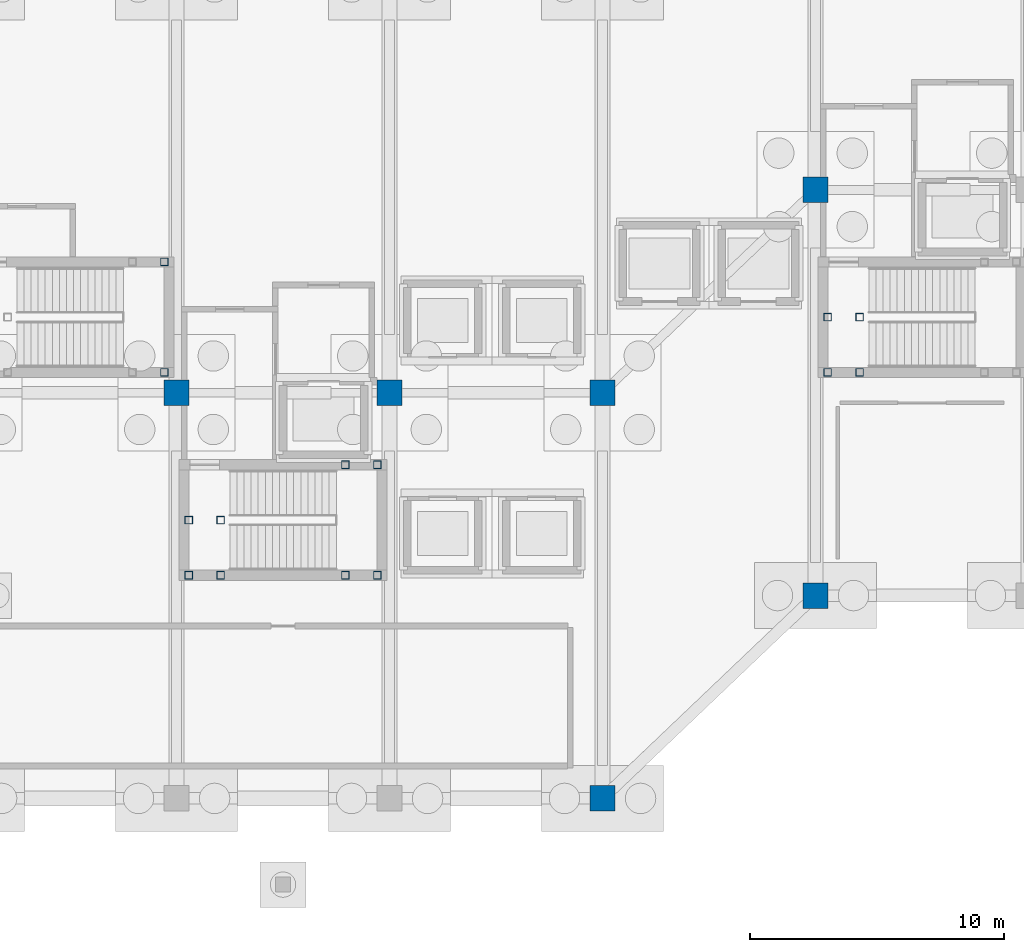
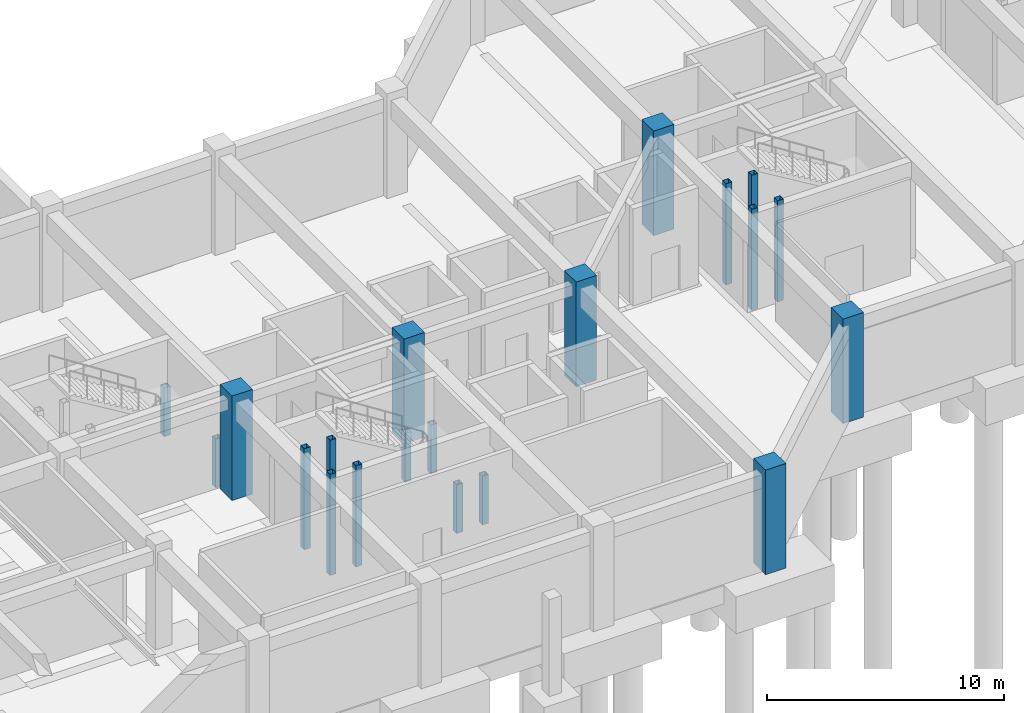
# One storey, part 25 of 56: 20 columns.
"""IFC4 building model written with IfcOpenShell, lengths in metres."""

import ifcopenshell
import ifcopenshell.guid

model = None  # the IFC model being written
_history = None  # IfcOwnerHistory: only IFC2X3 demands one
_inside = {}  # id of a spatial element -> (the spatial element, [elements in it])
_under = {}  # id of a project, library or spatial element -> (it, [spatial elements below it])
_declared = {}  # id of a project -> (the project, [libraries it declares])
_typed = {}  # id of a type object -> (the type object, [elements of that type])
_made_of = {}  # id of a material, layer set ... -> (it, [elements and type objects made of it])


def new_model(schema):
    """Start an empty IFC model of exactly this schema.

    Asked for "IFC4X3", IfcOpenShell would pick the latest addendum, in which some entities
    have other attributes; the version numbers below select the first issue.
    IFC2X3 requires an IfcOwnerHistory on every rooted entity: one is made here for all.
    """
    global model, _history
    if schema == "IFC4X3":
        model = ifcopenshell.file(schema_version=(4, 3, 0, 0))
    else:
        model = ifcopenshell.file(schema=schema)
    _inside.clear()
    _under.clear()
    _declared.clear()
    _typed.clear()
    _made_of.clear()
    _history = None
    if model.schema == "IFC2X3":
        org = make("IfcOrganization", Name="unknown")
        user = make(
            "IfcPersonAndOrganization",
            ThePerson=make("IfcPerson", FamilyName="unknown"),
            TheOrganization=org,
        )
        app = make(
            "IfcApplication",
            ApplicationDeveloper=org,
            Version="unknown",
            ApplicationFullName="unknown",
            ApplicationIdentifier="unknown",
        )
        _history = make(
            "IfcOwnerHistory",
            OwningUser=user,
            OwningApplication=app,
            ChangeAction="ADDED",
            CreationDate=0,
        )
    return model


def make(cls, **values):
    """One entity of the class cls with the attributes given. An attribute that is None is left unset."""
    return model.create_entity(
        cls, **{name: value for name, value in values.items() if value is not None}
    )


def rooted(cls, **values):
    """An entity with a GlobalId (a new one), such as an element, a storey or a relation."""
    return make(cls, GlobalId=ifcopenshell.guid.new(), OwnerHistory=_history, **values)


def si_unit(unit_type, name, prefix=None):
    """IfcSIUnit, for example si_unit("LENGTHUNIT", "METRE", prefix="MILLI")."""
    return make("IfcSIUnit", UnitType=unit_type, Prefix=prefix, Name=name)


def assignment(units):
    """IfcUnitAssignment: the units of a project."""
    return None if units is None else make("IfcUnitAssignment", Units=units)


def point(xyz):
    """IfcCartesianPoint."""
    return None if xyz is None else make("IfcCartesianPoint", Coordinates=xyz)


def direction(xyz):
    """IfcDirection."""
    return None if xyz is None else make("IfcDirection", DirectionRatios=xyz)


def frame(location, z_axis=None, x_axis=None):
    """IfcAxis2Placement3D, a coordinate frame: its origin and axes. An axis left out is left unset."""
    return make(
        "IfcAxis2Placement3D",
        Location=point(location),
        Axis=direction(z_axis),
        RefDirection=direction(x_axis),
    )


def frame_2d(location, x_axis=None):
    """IfcAxis2Placement2D, a coordinate frame in the plane: its origin and x axis."""
    return make(
        "IfcAxis2Placement2D", Location=point(location), RefDirection=direction(x_axis)
    )


def origin():
    """The frame at (0, 0, 0) with its axes left unset."""
    return frame((0.0, 0.0, 0.0))


def origin_2d():
    """The frame at (0, 0) in the plane with its x axis left unset."""
    return frame_2d((0.0, 0.0))


def place(relative_to, where):
    """IfcLocalPlacement: puts the frame where relative to a parent placement (None: the world)."""
    return make(
        "IfcLocalPlacement", PlacementRelTo=relative_to, RelativePlacement=where
    )


def context(
    kind, dimensions, precision=None, world=None, true_north=None, identifier=None
):
    """IfcGeometricRepresentationContext, for example the 3D "Model" context."""
    return make(
        "IfcGeometricRepresentationContext",
        ContextIdentifier=identifier,
        ContextType=kind,
        CoordinateSpaceDimension=dimensions,
        Precision=precision,
        WorldCoordinateSystem=world,
        TrueNorth=true_north,
    )


def subcontext(parent, identifier, kind, view, scale=None):
    """IfcGeometricRepresentationSubContext, for example "Body" below "Model"."""
    return make(
        "IfcGeometricRepresentationSubContext",
        ContextIdentifier=identifier,
        ContextType=kind,
        ParentContext=parent,
        TargetScale=scale,
        TargetView=view,
    )


def project(units=None, contexts=None):
    """IfcProject with its units and contexts."""
    return rooted(
        "IfcProject",
        Name="project",
        RepresentationContexts=contexts,
        UnitsInContext=assignment(units),
    )


def spatial(cls, under=None, at=None, **own):
    """A site, building, storey or space (cls), placed at a placement, below another one or the project."""
    s = rooted(cls, ObjectPlacement=at, **own)
    if under is not None:
        _under.setdefault(under.id(), (under, []))[1].append(s)
    return s


def profile(cls, at=None, kind="AREA", **sizes):
    """A parametric profile (cls). Its sizes go by their IFC names, for example OverallWidth=200.0."""
    return make(cls, ProfileType=kind, Position=at, **sizes)


def rectangle(**sizes):
    """IfcRectangleProfileDef."""
    return profile("IfcRectangleProfileDef", **sizes)


def hollow_rectangle(**sizes):
    """IfcRectangleHollowProfileDef."""
    return profile("IfcRectangleHollowProfileDef", **sizes)


def extrude(swept, where, along, depth):
    """IfcExtrudedAreaSolid: the profile swept, set in the frame where, extruded along a direction by depth."""
    return make(
        "IfcExtrudedAreaSolid",
        SweptArea=swept,
        Position=where,
        ExtrudedDirection=direction(along),
        Depth=depth,
    )


def shape(context_of_items, identifier, shape_type, items):
    """IfcShapeRepresentation: the items that make up one representation, for example the "Body"."""
    return make(
        "IfcShapeRepresentation",
        ContextOfItems=context_of_items,
        RepresentationIdentifier=identifier,
        RepresentationType=shape_type,
        Items=items,
    )


def material(Name=None, Category=None):
    """IfcMaterial."""
    return make("IfcMaterial", Name=Name, Category=Category)


def material_profile(
    of_material, cross_section, Name=None, Category=None, Priority=None
):
    """IfcMaterialProfile: a cross section and its material."""
    return make(
        "IfcMaterialProfile",
        Name=Name,
        Material=of_material,
        Profile=cross_section,
        Priority=Priority,
        Category=Category,
    )


def profile_set(profiles, Name=None, composite=None):
    """IfcMaterialProfileSet."""
    return make(
        "IfcMaterialProfileSet",
        Name=Name,
        MaterialProfiles=profiles,
        CompositeProfile=composite,
    )


def made_of(thing, what):
    """Note that an element or type object is made of a material, layer set ...; save() writes the relation."""
    if what is not None:
        _made_of.setdefault(what.id(), (what, []))[1].append(thing)
    return thing


def type_object(cls, material=None, **own):
    """A type object (cls), such as IfcWallType, which elements share."""
    return made_of(rooted(cls, **own), material)


def element(
    cls,
    number,
    at=None,
    inside=None,
    cuts=None,
    type_object=None,
    material=None,
    context=None,
    identifier="Body",
    shape_type=None,
    held_by="IfcProductDefinitionShape",
    body=None,
    shapes=None,
    **own,
):
    """One element of the class cls, such as IfcWall. Its Tag is "e" and its number.

    at: its placement. inside: the storey or other place that contains it. cuts: it is an
    opening in that element (IfcRelVoidsElement). A single representation is given by context,
    identifier, shape_type and body (its items); several are given by shapes. held_by: the class
    of the entity that holds the representations. save() writes the other relations.
    """
    e = rooted(cls, Tag="e%d" % number, ObjectPlacement=at, **own)
    if body is not None:
        shapes = [shape(context, identifier, shape_type, body)]
    if shapes is not None:
        e.Representation = make(held_by, Representations=shapes)
    if inside is not None:
        _inside.setdefault(inside.id(), (inside, []))[1].append(e)
    if cuts is not None:
        rooted(
            "IfcRelVoidsElement", RelatingBuildingElement=cuts, RelatedOpeningElement=e
        )
    if type_object is not None:
        _typed.setdefault(type_object.id(), (type_object, []))[1].append(e)
    return made_of(e, material)


def aggregate(whole, parts):
    """IfcRelAggregates: a whole, such as a stair, and the parts it consists of."""
    return rooted("IfcRelAggregates", RelatingObject=whole, RelatedObjects=parts)


def save(model, path):
    """Write the relations noted so far, then the file.

    IfcRelAggregates (storeys below a building ...), IfcRelContainedInSpatialStructure (elements
    in a storey), IfcRelDefinesByType, IfcRelAssociatesMaterial and IfcRelDeclares: one each for
    every whole, place, type object, material and project.
    """
    for whole, parts in _under.values():
        aggregate(whole, parts)
    for where, things in _inside.values():
        rooted(
            "IfcRelContainedInSpatialStructure",
            RelatedElements=things,
            RelatingStructure=where,
        )
    for kind, things in _typed.values():
        rooted("IfcRelDefinesByType", RelatedObjects=things, RelatingType=kind)
    for what, things in _made_of.values():
        rooted("IfcRelAssociatesMaterial", RelatedObjects=things, RelatingMaterial=what)
    for by, libraries in _declared.values():
        rooted("IfcRelDeclares", RelatingContext=by, RelatedDefinitions=libraries)
    model.write(path)


model = new_model("IFC4")

# Units and contexts
model_context = context("Model", 3, precision=1e-05, world=origin(), true_north=direction((0.0, 1.0)))
body_context = subcontext(model_context, "Body", "Model", "MODEL_VIEW")
ifc_project = project(units=[si_unit("LENGTHUNIT", "METRE"), si_unit("AREAUNIT", "SQUARE_METRE"), si_unit("VOLUMEUNIT", "CUBIC_METRE"), si_unit("PLANEANGLEUNIT", "RADIAN"), si_unit("MASSUNIT", "GRAM", prefix="KILO")], contexts=[model_context])

# Site, building, storey
site_placement = place(None, origin())
site = spatial("IfcSite", under=ifc_project, at=site_placement, CompositionType="ELEMENT")
building_placement = place(site_placement, origin())
building = spatial("IfcBuilding", under=site, at=building_placement, Name="Naruveol Harbour Congress Hotel", CompositionType="ELEMENT")
storey_placement = place(building_placement, frame((0.0, 0.0, -5.39990234375)))
storey = spatial("IfcBuildingStorey", under=building, at=storey_placement, Name="B01", CompositionType="ELEMENT", Elevation=-5.39990234375)

# Columns
ifc_material_1 = material(Name="Concrete C50/60", Category="concrete")
ifc_material_profile_1 = material_profile(ifc_material_1, rectangle(XDim=1.0, YDim=1.0, at=origin_2d()), Name="RC-1000x1000")
ifc_profile_set_1 = profile_set([ifc_material_profile_1], Name="Concrete C50/60")
column_type_1 = type_object("IfcColumnType", Name="RC PRIMARY COLUMN 1000X1000", PredefinedType="COLUMN", material=ifc_profile_set_1)
for number, where, z_axis, x_axis, name in (
    (1, (126.0, 16.0, 0.0), (0.0, 0.0, 1.0), (1.0, 0.0, 0.0), "Column C-1000 B01 (126.0,16.0)"),
    (2, (134.39990234375, 16.0, 0.0), (0.0, 0.0, 1.0), (1.0, 0.0, 0.0), "Column C-1000 B01 (134.4,16.0)"),
    (3, (142.800048828125, 0.0, 0.0), (0.0, 0.0, 1.0), (1.0, 0.0, 0.0), "Column C-1000 B01 (142.8,0.0)"),
    (4, (142.800048828125, 16.0, 0.0), (0.0, 0.0, 1.0), (1.0, 0.0, 0.0), "Column C-1000 B01 (142.8,16.0)"),
    (5, (151.199951171875, 8.0, 0.0), (0.0, 0.0, 1.0), (1.0, 0.0, 0.0), "Column C-1000 B01 (151.2,8.0)"),
    (6, (151.199951171875, 24.0, 0.0), (0.0, 0.0, 1.0), (1.0, 0.0, 0.0), "Column C-1000 B01 (151.2,24.0)"),
):
    element("IfcColumn", number, at=place(storey_placement, frame(where, z_axis=z_axis, x_axis=x_axis)), inside=storey, type_object=column_type_1, Name=name, PredefinedType="COLUMN", context=body_context, shape_type="SweptSolid", body=[
        extrude(rectangle(XDim=1.0, YDim=1.0, at=origin_2d()), origin(), (0.0, 0.0, 1.0), 5.39990234375),
    ])
ifc_material_2 = material(Name="Steel SN490", Category="steel")
ifc_material_profile_2 = material_profile(ifc_material_2, hollow_rectangle(XDim=0.300048828125, YDim=0.300048828125, WallThickness=0.011962890625, at=origin_2d()), Name="SHS-300x300x12")
ifc_profile_set_2 = profile_set([ifc_material_profile_2], Name="Steel SN490")
column_type_2 = type_object("IfcColumnType", Name="STEEL COLONNADE POST SHS300", PredefinedType="COLUMN", material=ifc_profile_set_2)
for number, where, z_axis, x_axis, name in (
    (7, (126.47998046875, 8.800048828125, 0.0), (0.0, 0.0, 1.0), (1.0, 0.0, 0.0), "Stair landing support post ST1W #1"),
    (8, (126.47998046875, 10.97998046875, 0.0), (0.0, 0.0, 1.0), (1.0, 0.0, 0.0), "Stair landing support post ST1W #13"),
    (9, (127.739990234375, 8.800048828125, 0.0), (0.0, 0.0, 1.0), (1.0, 0.0, 0.0), "Stair landing support post ST1W #25"),
    (10, (127.739990234375, 10.97998046875, 0.0), (0.0, 0.0, 1.0), (1.0, 0.0, 0.0), "Stair landing support post ST1W #37"),
):
    element("IfcColumn", number, at=place(storey_placement, frame(where, z_axis=z_axis, x_axis=x_axis)), inside=storey, type_object=column_type_2, Name=name, PredefinedType="COLUMN", context=body_context, shape_type="SweptSolid", body=[
        extrude(hollow_rectangle(XDim=0.300048828125, YDim=0.300048828125, WallThickness=0.011962890625, at=origin_2d()), origin(), (0.0, 0.0, 1.0), 5.219970703125),
    ])
for number, where, z_axis, x_axis, name in (
    (11, (132.659912109375, 8.800048828125, 0.0), (0.0, 0.0, 1.0), (1.0, 0.0, 0.0), "Stair landing support post ST1E #49"),
    (12, (132.659912109375, 13.159912109375, 0.0), (0.0, 0.0, 1.0), (1.0, 0.0, 0.0), "Stair landing support post ST1E #61"),
    (13, (133.919921875, 8.800048828125, 0.0), (0.0, 0.0, 1.0), (1.0, 0.0, 0.0), "Stair landing support post ST1E #73"),
    (14, (133.919921875, 13.159912109375, 0.0), (0.0, 0.0, 1.0), (1.0, 0.0, 0.0), "Stair landing support post ST1E #85"),
):
    element("IfcColumn", number, at=place(storey_placement, frame(where, z_axis=z_axis, x_axis=x_axis)), inside=storey, type_object=column_type_2, Name=name, PredefinedType="COLUMN", context=body_context, shape_type="SweptSolid", body=[
        extrude(hollow_rectangle(XDim=0.300048828125, YDim=0.300048828125, WallThickness=0.011962890625, at=origin_2d()), origin(), (0.0, 0.0, 1.0), 2.52001953125),
    ])
for number, where, z_axis, x_axis, name in (
    (15, (151.679931640625, 16.800048828125, 0.0), (0.0, 0.0, 1.0), (1.0, 0.0, 0.0), "Stair landing support post ST2W #97"),
    (16, (151.679931640625, 18.97998046875, 0.0), (0.0, 0.0, 1.0), (1.0, 0.0, 0.0), "Stair landing support post ST2W #109"),
    (17, (152.93994140625, 16.800048828125, 0.0), (0.0, 0.0, 1.0), (1.0, 0.0, 0.0), "Stair landing support post ST2W #121"),
    (18, (152.93994140625, 18.97998046875, 0.0), (0.0, 0.0, 1.0), (1.0, 0.0, 0.0), "Stair landing support post ST2W #133"),
):
    element("IfcColumn", number, at=place(storey_placement, frame(where, z_axis=z_axis, x_axis=x_axis)), inside=storey, type_object=column_type_2, Name=name, PredefinedType="COLUMN", context=body_context, shape_type="SweptSolid", body=[
        extrude(hollow_rectangle(XDim=0.300048828125, YDim=0.300048828125, WallThickness=0.011962890625, at=origin_2d()), origin(), (0.0, 0.0, 1.0), 5.219970703125),
    ])
for number, where, z_axis, x_axis, name in (
    (19, (125.52001953125, 16.800048828125, 0.0), (0.0, 0.0, 1.0), (1.0, 0.0, 0.0), "Stair landing support post ST3E #253"),
    (20, (125.52001953125, 21.159912109375, 0.0), (0.0, 0.0, 1.0), (1.0, 0.0, 0.0), "Stair landing support post ST3E #263"),
):
    element("IfcColumn", number, at=place(storey_placement, frame(where, z_axis=z_axis, x_axis=x_axis)), inside=storey, type_object=column_type_2, Name=name, PredefinedType="COLUMN", context=body_context, shape_type="SweptSolid", body=[
        extrude(hollow_rectangle(XDim=0.300048828125, YDim=0.300048828125, WallThickness=0.011962890625, at=origin_2d()), origin(), (0.0, 0.0, 1.0), 2.52001953125),
    ])

save(model, "model.ifc")
